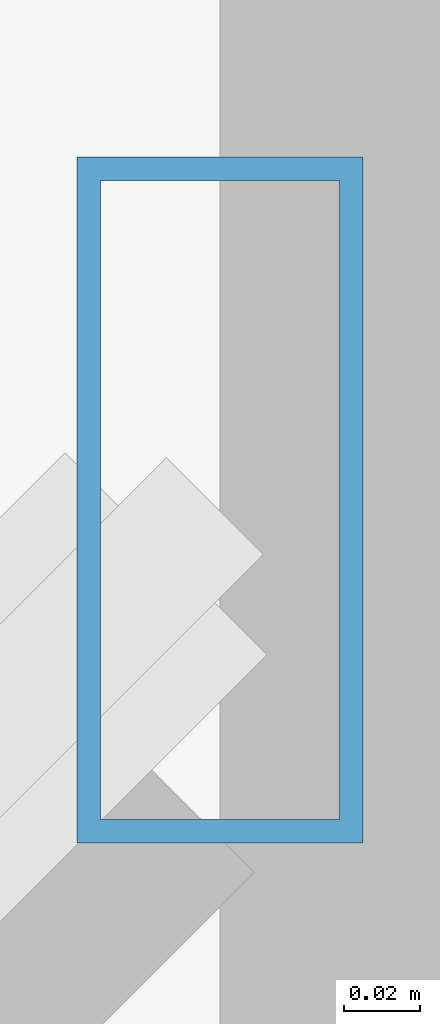
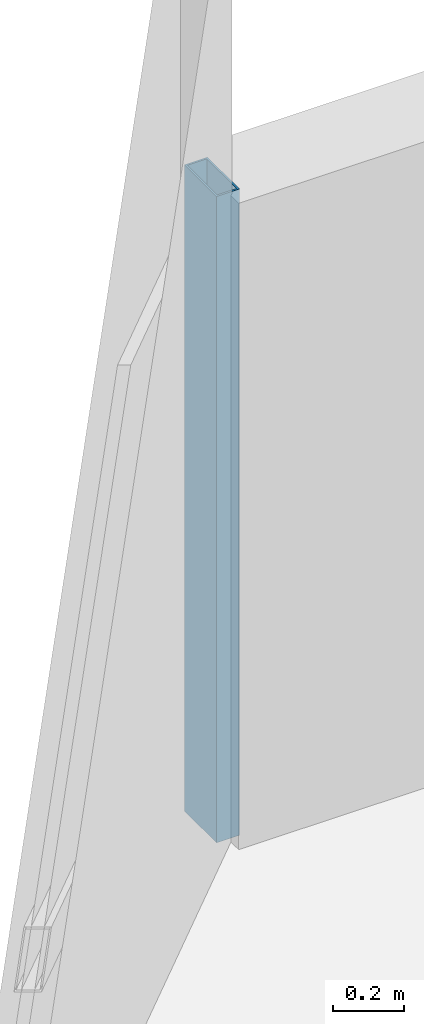
# One storey, part 9 of 35: 1 member, 1 element without a shape of its own.
"""IFC4 building model written with IfcOpenShell, lengths in metres."""

from ifc_helpers import new_model, si_unit, direction, frame, origin, origin_2d, place, context, subcontext, project, spatial, hollow_rectangle, extrude, material, material_profile, profile_set, type_object, element, aggregate, save


model = new_model("IFC4")

# Units and contexts
model_context = context("Model", 3, precision=1e-05, world=origin(), true_north=direction((0.0, 1.0)))
body_context = subcontext(model_context, "Body", "Model", "MODEL_VIEW")
ifc_project = project(units=[si_unit("LENGTHUNIT", "METRE"), si_unit("AREAUNIT", "SQUARE_METRE"), si_unit("VOLUMEUNIT", "CUBIC_METRE"), si_unit("PLANEANGLEUNIT", "RADIAN"), si_unit("MASSUNIT", "GRAM", prefix="KILO")], contexts=[model_context])

# Site, building, storey
site_placement = place(None, origin())
site = spatial("IfcSite", under=ifc_project, at=site_placement, CompositionType="ELEMENT")
building_placement = place(site_placement, origin())
building = spatial("IfcBuilding", under=site, at=building_placement, Name="Thornwick Lancets Civic Towers", CompositionType="ELEMENT")
storey_placement = place(building_placement, frame((0.0, 0.0, 225.89990234375)))
storey = spatial("IfcBuildingStorey", under=building, at=storey_placement, Name="L60", CompositionType="ELEMENT", Elevation=225.89990234375)

# Curtain wall, member
ifc_material_1 = material(Name="High-zone chamfered-corner unitised glass curtain wall", Category="glass")
curtain_wall_type = type_object("IfcCurtainWallType", Name="CW_SYS_05", PredefinedType="NOTDEFINED", material=ifc_material_1)
curtain_wall_placement = place(storey_placement, origin())
curtain_wall = element("IfcCurtainWall", 1, at=curtain_wall_placement, inside=storey, type_object=curtain_wall_type, Name="L60 Curtain Wall CW-L60-A-E5", PredefinedType="NOTDEFINED")
ifc_material_2 = material(Name="Thermally broken bronze aluminium S355", Category="steel")
ifc_material_profile = material_profile(ifc_material_2, hollow_rectangle(XDim=0.074951171875, YDim=0.179931640625, WallThickness=0.006103515625, at=origin_2d()), Name="RHS 180x75x6")
ifc_profile_set = profile_set([ifc_material_profile], Name="Thermally broken bronze aluminium S355")
member_type = type_object("IfcMemberType", Name="CW_MUL_180", PredefinedType="MULLION", material=ifc_profile_set)
member_placement = place(storey_placement, frame((4.318603515625, 50.7646484375, 0.0), z_axis=(0.0, 0.0, 1.0), x_axis=(1.0, 0.0, 0.0)))
member = element("IfcMember", 2, at=member_placement, type_object=member_type, Name="CW-L60-A-E5 Mullion 0", PredefinedType="MULLION", context=body_context, shape_type="SweptSolid", body=[
    extrude(hollow_rectangle(XDim=0.074951171875, YDim=0.179931640625, WallThickness=0.006103515625, at=origin_2d()), origin(), (0.0, 0.0, 1.0), 2.22021484375),
])
aggregate(curtain_wall, [member])

save(model, "model.ifc")
